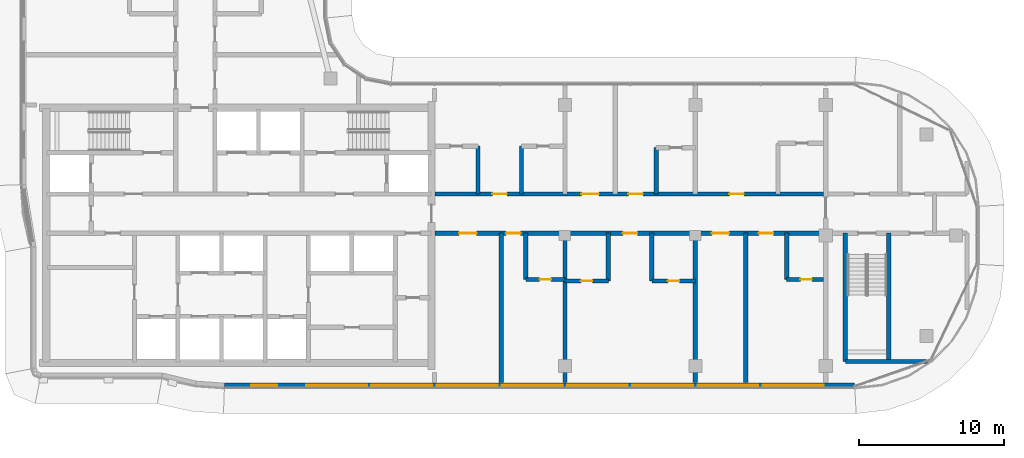
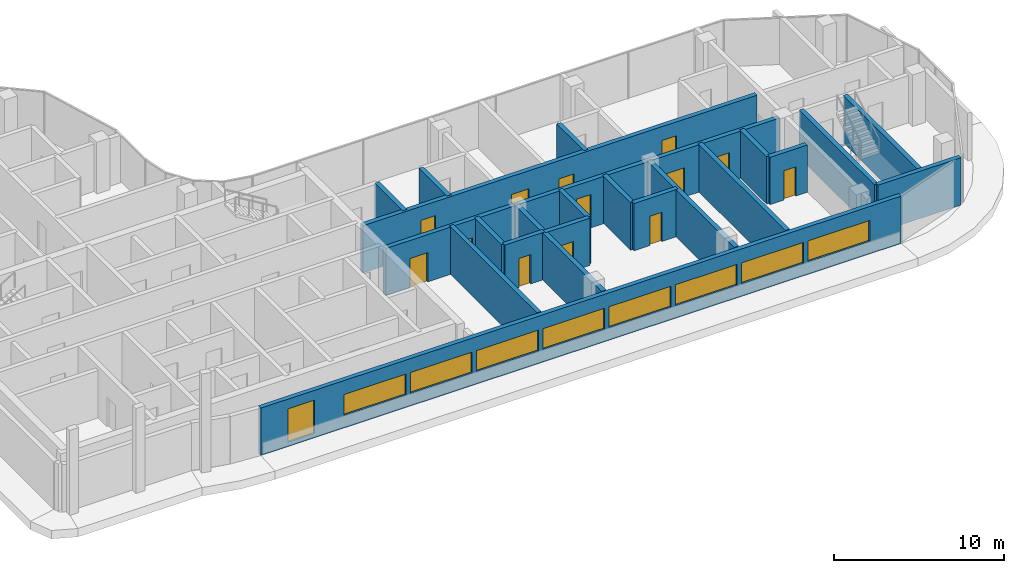
# One storey, part 11 of 21: 21 walls, 13 doors, 9 windows, 22 openings.
"""IFC4 building model written with IfcOpenShell, lengths in metres."""

from ifc_helpers import new_model, si_unit, direction, frame, frame_2d, origin, place, context, subcontext, project, spatial, rectangle, extrude, material, layer, layer_set, type_object, element, fill, save


model = new_model("IFC4")

# Units and contexts
model_context = context("Model", 3, precision=1e-05, world=origin(), true_north=direction((0.0, 1.0)))
body_context = subcontext(model_context, "Body", "Model", "MODEL_VIEW")
ifc_project = project(units=[si_unit("LENGTHUNIT", "METRE"), si_unit("AREAUNIT", "SQUARE_METRE"), si_unit("VOLUMEUNIT", "CUBIC_METRE"), si_unit("PLANEANGLEUNIT", "RADIAN"), si_unit("MASSUNIT", "GRAM", prefix="KILO")], contexts=[model_context])

# Site, building, storey
site_placement = place(None, origin())
site = spatial("IfcSite", under=ifc_project, at=site_placement, CompositionType="ELEMENT")
building_placement = place(site_placement, origin())
building = spatial("IfcBuilding", under=site, at=building_placement, Name="Ogive Portal Towers", CompositionType="ELEMENT")
storey_placement = place(building_placement, frame((0.0, 0.0, 225.39990234375)))
storey = spatial("IfcBuildingStorey", under=building, at=storey_placement, Name="L56", CompositionType="ELEMENT", Elevation=225.39990234375)

# Wall, openings, windows
ifc_material_1 = material(Name="Limestone cladding on lightweight block wall", Category="masonry")
ifc_layer_1 = layer(ifc_material_1, 0.300048828125)
ifc_layer_set_1 = layer_set([ifc_layer_1], Name="EXTERNAL WALL 300 STONE")
wall_type_1 = type_object("IfcWallType", Name="EXTERNAL WALL 300 STONE", PredefinedType="SOLIDWALL", material=ifc_layer_set_1)
wall_1_placement = place(storey_placement, frame((44.0107421875, 20.14990234375, 0.0), z_axis=(0.0, 0.0, 1.0), x_axis=(1.0, 0.0, 0.0)))
wall_1 = element("IfcWall", 1, at=wall_1_placement, inside=storey, type_object=wall_type_1, Name="A:L56:f06:r0:wall", PredefinedType="SOLIDWALL", context=body_context, shape_type="SweptSolid", body=[
    extrude(rectangle(XDim=43.4755859375, YDim=0.300048828125, at=frame_2d((21.73779296875, 0.0))), origin(), (0.0, 0.0, 1.0), 3.400146484375),
])
opening_1_placement = place(wall_1_placement, frame((1.8447265625, 0.0, 0.300048828125)))
opening_1 = element("IfcOpeningElement", 2, at=opening_1_placement, cuts=wall_1, Name="Opening WN10", PredefinedType="OPENING", context=body_context, shape_type="SweptSolid", body=[
    extrude(rectangle(XDim=1.800048828125, YDim=2.39990234375, at=frame_2d((0.89990234375, 1.199951171875))), frame((0.0, 0.16015625, 0.0), z_axis=(0.0, -1.0, 0.0), x_axis=(1.0, 0.0, 0.0)), (0.0, 0.0, 1.0), 0.320068359375),
])
opening_2_placement = place(wall_1_placement, frame((5.639404296875, 0.0, 0.89990234375)))
opening_2 = element("IfcOpeningElement", 3, at=opening_2_placement, cuts=wall_1, Name="Opening WN11", PredefinedType="OPENING", context=body_context, shape_type="SweptSolid", body=[
    extrude(rectangle(XDim=4.199951171875, YDim=1.5, at=frame_2d((2.10009765625, 0.75))), frame((0.0, 0.16015625, 0.0), z_axis=(0.0, -1.0, 0.0), x_axis=(1.0, 0.0, 0.0)), (0.0, 0.0, 1.0), 0.320068359375),
])
opening_3_placement = place(wall_1_placement, frame((10.139404296875, 0.0, 0.89990234375)))
opening_3 = element("IfcOpeningElement", 4, at=opening_3_placement, cuts=wall_1, Name="Opening WN11", PredefinedType="OPENING", context=body_context, shape_type="SweptSolid", body=[
    extrude(rectangle(XDim=4.199951171875, YDim=1.5, at=frame_2d((2.10009765625, 0.75))), frame((0.0, 0.16015625, 0.0), z_axis=(0.0, -1.0, 0.0), x_axis=(1.0, 0.0, 0.0)), (0.0, 0.0, 1.0), 0.320068359375),
])
opening_4_placement = place(wall_1_placement, frame((14.639404296875, 0.0, 0.89990234375)))
opening_4 = element("IfcOpeningElement", 5, at=opening_4_placement, cuts=wall_1, Name="Opening WN11", PredefinedType="OPENING", context=body_context, shape_type="SweptSolid", body=[
    extrude(rectangle(XDim=4.199951171875, YDim=1.5, at=frame_2d((2.10009765625, 0.75))), frame((0.0, 0.16015625, 0.0), z_axis=(0.0, -1.0, 0.0), x_axis=(1.0, 0.0, 0.0)), (0.0, 0.0, 1.0), 0.320068359375),
])
opening_5_placement = place(wall_1_placement, frame((19.139404296875, 0.0, 0.89990234375)))
opening_5 = element("IfcOpeningElement", 6, at=opening_5_placement, cuts=wall_1, Name="Opening WN11", PredefinedType="OPENING", context=body_context, shape_type="SweptSolid", body=[
    extrude(rectangle(XDim=4.199951171875, YDim=1.5, at=frame_2d((2.10009765625, 0.75))), frame((0.0, 0.16015625, 0.0), z_axis=(0.0, -1.0, 0.0), x_axis=(1.0, 0.0, 0.0)), (0.0, 0.0, 1.0), 0.320068359375),
])
opening_6_placement = place(wall_1_placement, frame((23.639404296875, 0.0, 0.89990234375)))
opening_6 = element("IfcOpeningElement", 7, at=opening_6_placement, cuts=wall_1, Name="Opening WN11", PredefinedType="OPENING", context=body_context, shape_type="SweptSolid", body=[
    extrude(rectangle(XDim=4.199951171875, YDim=1.5, at=frame_2d((2.10009765625, 0.75))), frame((0.0, 0.16015625, 0.0), z_axis=(0.0, -1.0, 0.0), x_axis=(1.0, 0.0, 0.0)), (0.0, 0.0, 1.0), 0.320068359375),
])
opening_7_placement = place(wall_1_placement, frame((28.139404296875, 0.0, 0.89990234375)))
opening_7 = element("IfcOpeningElement", 8, at=opening_7_placement, cuts=wall_1, Name="Opening WN11", PredefinedType="OPENING", context=body_context, shape_type="SweptSolid", body=[
    extrude(rectangle(XDim=4.199951171875, YDim=1.5, at=frame_2d((2.10009765625, 0.75))), frame((0.0, 0.16015625, 0.0), z_axis=(0.0, -1.0, 0.0), x_axis=(1.0, 0.0, 0.0)), (0.0, 0.0, 1.0), 0.320068359375),
])
opening_8_placement = place(wall_1_placement, frame((32.639404296875, 0.0, 0.89990234375)))
opening_8 = element("IfcOpeningElement", 9, at=opening_8_placement, cuts=wall_1, Name="Opening WN11", PredefinedType="OPENING", context=body_context, shape_type="SweptSolid", body=[
    extrude(rectangle(XDim=4.199951171875, YDim=1.5, at=frame_2d((2.10009765625, 0.75))), frame((0.0, 0.16015625, 0.0), z_axis=(0.0, -1.0, 0.0), x_axis=(1.0, 0.0, 0.0)), (0.0, 0.0, 1.0), 0.320068359375),
])
opening_9_placement = place(wall_1_placement, frame((37.139404296875, 0.0, 0.89990234375)))
opening_9 = element("IfcOpeningElement", 10, at=opening_9_placement, cuts=wall_1, Name="Opening WN11", PredefinedType="OPENING", context=body_context, shape_type="SweptSolid", body=[
    extrude(rectangle(XDim=4.199951171875, YDim=1.5, at=frame_2d((2.10009765625, 0.75))), frame((0.0, 0.16015625, 0.0), z_axis=(0.0, -1.0, 0.0), x_axis=(1.0, 0.0, 0.0)), (0.0, 0.0, 1.0), 0.320068359375),
])
ifc_material_2 = material(Name="Glass, clear low-iron insulated glazing", Category="glass")
window_type_1 = type_object("IfcWindowType", Name="WINDOW RIBBON 4200x1500", PartitioningType="TRIPLE_PANEL_VERTICAL", PredefinedType="WINDOW", material=ifc_material_2)
window_1_placement = place(opening_2_placement, origin())
window_1 = element("IfcWindow", 11, at=window_1_placement, inside=storey, type_object=window_type_1, Name="A:L56:f06:r0:w1", OverallHeight=1.5, OverallWidth=4.199951171875, PartitioningType="SINGLE_PANEL", PredefinedType="WINDOW", context=body_context, shape_type="SweptSolid", body=[
    extrude(rectangle(XDim=4.199951171875, YDim=1.5, at=frame_2d((2.10009765625, 0.75))), frame((0.0, 0.030029296875, 0.0), z_axis=(0.0, -1.0, 0.0), x_axis=(1.0, 0.0, 0.0)), (0.0, 0.0, 1.0), 0.06005859375),
])
fill(opening_2, window_1)
window_2_placement = place(opening_3_placement, origin())
window_2 = element("IfcWindow", 12, at=window_2_placement, inside=storey, type_object=window_type_1, Name="A:L56:f06:r0:w2", OverallHeight=1.5, OverallWidth=4.199951171875, PartitioningType="SINGLE_PANEL", PredefinedType="WINDOW", context=body_context, shape_type="SweptSolid", body=[
    extrude(rectangle(XDim=4.199951171875, YDim=1.5, at=frame_2d((2.10009765625, 0.75))), frame((0.0, 0.030029296875, 0.0), z_axis=(0.0, -1.0, 0.0), x_axis=(1.0, 0.0, 0.0)), (0.0, 0.0, 1.0), 0.06005859375),
])
fill(opening_3, window_2)
window_3_placement = place(opening_4_placement, origin())
window_3 = element("IfcWindow", 13, at=window_3_placement, inside=storey, type_object=window_type_1, Name="A:L56:f06:r0:w3", OverallHeight=1.5, OverallWidth=4.199951171875, PartitioningType="SINGLE_PANEL", PredefinedType="WINDOW", context=body_context, shape_type="SweptSolid", body=[
    extrude(rectangle(XDim=4.199951171875, YDim=1.5, at=frame_2d((2.10009765625, 0.75))), frame((0.0, 0.030029296875, 0.0), z_axis=(0.0, -1.0, 0.0), x_axis=(1.0, 0.0, 0.0)), (0.0, 0.0, 1.0), 0.06005859375),
])
fill(opening_4, window_3)
window_4_placement = place(opening_5_placement, origin())
window_4 = element("IfcWindow", 14, at=window_4_placement, inside=storey, type_object=window_type_1, Name="A:L56:f06:r0:w4", OverallHeight=1.5, OverallWidth=4.199951171875, PartitioningType="SINGLE_PANEL", PredefinedType="WINDOW", context=body_context, shape_type="SweptSolid", body=[
    extrude(rectangle(XDim=4.199951171875, YDim=1.5, at=frame_2d((2.10009765625, 0.75))), frame((0.0, 0.030029296875, 0.0), z_axis=(0.0, -1.0, 0.0), x_axis=(1.0, 0.0, 0.0)), (0.0, 0.0, 1.0), 0.06005859375),
])
fill(opening_5, window_4)
window_5_placement = place(opening_6_placement, origin())
window_5 = element("IfcWindow", 15, at=window_5_placement, inside=storey, type_object=window_type_1, Name="A:L56:f06:r0:w5", OverallHeight=1.5, OverallWidth=4.199951171875, PartitioningType="SINGLE_PANEL", PredefinedType="WINDOW", context=body_context, shape_type="SweptSolid", body=[
    extrude(rectangle(XDim=4.199951171875, YDim=1.5, at=frame_2d((2.10009765625, 0.75))), frame((0.0, 0.030029296875, 0.0), z_axis=(0.0, -1.0, 0.0), x_axis=(1.0, 0.0, 0.0)), (0.0, 0.0, 1.0), 0.06005859375),
])
fill(opening_6, window_5)
window_6_placement = place(opening_7_placement, origin())
window_6 = element("IfcWindow", 16, at=window_6_placement, inside=storey, type_object=window_type_1, Name="A:L56:f06:r0:w6", OverallHeight=1.5, OverallWidth=4.199951171875, PartitioningType="SINGLE_PANEL", PredefinedType="WINDOW", context=body_context, shape_type="SweptSolid", body=[
    extrude(rectangle(XDim=4.199951171875, YDim=1.5, at=frame_2d((2.10009765625, 0.75))), frame((0.0, 0.030029296875, 0.0), z_axis=(0.0, -1.0, 0.0), x_axis=(1.0, 0.0, 0.0)), (0.0, 0.0, 1.0), 0.06005859375),
])
fill(opening_7, window_6)
window_7_placement = place(opening_8_placement, origin())
window_7 = element("IfcWindow", 17, at=window_7_placement, inside=storey, type_object=window_type_1, Name="A:L56:f06:r0:w7", OverallHeight=1.5, OverallWidth=4.199951171875, PartitioningType="SINGLE_PANEL", PredefinedType="WINDOW", context=body_context, shape_type="SweptSolid", body=[
    extrude(rectangle(XDim=4.199951171875, YDim=1.5, at=frame_2d((2.10009765625, 0.75))), frame((0.0, 0.030029296875, 0.0), z_axis=(0.0, -1.0, 0.0), x_axis=(1.0, 0.0, 0.0)), (0.0, 0.0, 1.0), 0.06005859375),
])
fill(opening_8, window_7)
window_8_placement = place(opening_9_placement, origin())
window_8 = element("IfcWindow", 18, at=window_8_placement, inside=storey, type_object=window_type_1, Name="A:L56:f06:r0:w8", OverallHeight=1.5, OverallWidth=4.199951171875, PartitioningType="SINGLE_PANEL", PredefinedType="WINDOW", context=body_context, shape_type="SweptSolid", body=[
    extrude(rectangle(XDim=4.199951171875, YDim=1.5, at=frame_2d((2.10009765625, 0.75))), frame((0.0, 0.030029296875, 0.0), z_axis=(0.0, -1.0, 0.0), x_axis=(1.0, 0.0, 0.0)), (0.0, 0.0, 1.0), 0.06005859375),
])
fill(opening_9, window_8)
window_type_2 = type_object("IfcWindowType", Name="WINDOW SUITE CORNER 1800x2400", PartitioningType="DOUBLE_PANEL_VERTICAL", PredefinedType="WINDOW", material=ifc_material_2)
window_9_placement = place(opening_1_placement, origin())
window_9 = element("IfcWindow", 19, at=window_9_placement, inside=storey, type_object=window_type_2, Name="A:L56:f06:r0:w0", OverallHeight=2.39990234375, OverallWidth=1.800048828125, PartitioningType="SINGLE_PANEL", PredefinedType="WINDOW", context=body_context, shape_type="SweptSolid", body=[
    extrude(rectangle(XDim=1.800048828125, YDim=2.39990234375, at=frame_2d((0.89990234375, 1.199951171875))), frame((0.0, 0.030029296875, 0.0), z_axis=(0.0, -1.0, 0.0), x_axis=(1.0, 0.0, 0.0)), (0.0, 0.0, 1.0), 0.06005859375),
])
fill(opening_1, window_9)

# Walls
ifc_material_3 = material(Name="Concrete C50/60", Category="concrete")
ifc_layer_2 = layer(ifc_material_3, 0.300048828125)
ifc_layer_set_2 = layer_set([ifc_layer_2], Name="STAIR WALL 300 C50")
wall_type_2 = type_object("IfcWallType", Name="STAIR WALL 300 C50", PredefinedType="SHEAR", material=ifc_layer_set_2)
wall_2_placement = place(storey_placement, frame((86.85009765625, 21.800048828125, 0.0), z_axis=(0.0, 0.0, 1.0), x_axis=(1.0, 0.0, 0.0)))
element("IfcWall", 20, at=wall_2_placement, inside=storey, type_object=wall_type_2, Name="Stair wall ST-A4 L56", PredefinedType="SHEAR", context=body_context, shape_type="SweptSolid", body=[
    extrude(rectangle(XDim=5.664794921875, YDim=0.300048828125, at=frame_2d((2.83251953125, 0.0))), origin(), (0.0, 0.0, 1.0), 3.400146484375),
])
for number, where, z_axis, x_axis, name in (
    (21, (86.85009765625, 21.800048828125, 0.0), (0.0, 0.0, 1.0), (0.0, 1.0, 0.0), "Stair wall ST-A4 L56"),
    (22, (89.85009765625, 21.800048828125, 0.0), (0.0, 0.0, 1.0), (0.0, 1.0, 0.0), "Stair wall ST-A4 L56"),
):
    element("IfcWall", number, at=place(storey_placement, frame(where, z_axis=z_axis, x_axis=x_axis)), inside=storey, type_object=wall_type_2, Name=name, PredefinedType="SHEAR", context=body_context, shape_type="SweptSolid", body=[
        extrude(rectangle(XDim=8.849853515625, YDim=0.300048828125, at=frame_2d((4.4248046875, 0.0))), origin(), (0.0, 0.0, 1.0), 3.400146484375),
    ])

# Wall, openings, doors
ifc_material_4 = material(Name="Gypsum board partition on steel studs", Category="steel")
ifc_layer_3 = layer(ifc_material_4, 0.300048828125)
ifc_layer_set_3 = layer_set([ifc_layer_3], Name="WT-PART-300-EI 120")
wall_type_3 = type_object("IfcWallType", Name="WT-PART-300-EI 120", PredefinedType="PARTITIONING", material=ifc_layer_set_3)
wall_3_placement = place(storey_placement, frame((58.550048828125, 30.64990234375, 0.0), z_axis=(0.0, 0.0, 1.0), x_axis=(1.0, 0.0, 0.0)))
wall_3 = element("IfcWall", 23, at=wall_3_placement, inside=storey, type_object=wall_type_3, Name="Wall L56:w006", PredefinedType="PARTITIONING", context=body_context, shape_type="SweptSolid", body=[
    extrude(rectangle(XDim=26.780029296875, YDim=0.300048828125, at=frame_2d((13.39013671875, 0.0))), origin(), (0.0, 0.0, 1.0), 3.400146484375),
])
opening_10_placement = place(wall_3_placement, frame((1.64990234375, 0.0, 0.0)))
opening_10 = element("IfcOpeningElement", 24, at=opening_10_placement, cuts=wall_3, Name="Opening D25-029", PredefinedType="OPENING", context=body_context, shape_type="SweptSolid", body=[
    extrude(rectangle(XDim=1.199951171875, YDim=2.10009765625, at=frame_2d((0.60009765625, 1.050048828125))), frame((0.0, 0.16015625, 0.0), z_axis=(0.0, -1.0, 0.0), x_axis=(1.0, 0.0, 0.0)), (0.0, 0.0, 1.0), 0.320068359375),
])
opening_11_placement = place(wall_3_placement, frame((4.89990234375, 0.0, 0.0)))
opening_11 = element("IfcOpeningElement", 25, at=opening_11_placement, cuts=wall_3, Name="Opening D25-031", PredefinedType="OPENING", context=body_context, shape_type="SweptSolid", body=[
    extrude(rectangle(XDim=1.0, YDim=2.10009765625, at=frame_2d((0.5, 1.050048828125))), frame((0.0, 0.16015625, 0.0), z_axis=(0.0, -1.0, 0.0), x_axis=(1.0, 0.0, 0.0)), (0.0, 0.0, 1.0), 0.320068359375),
])
opening_12_placement = place(wall_3_placement, frame((12.949951171875, 0.0, 0.0)))
opening_12 = element("IfcOpeningElement", 26, at=opening_12_placement, cuts=wall_3, Name="Opening D25-037", PredefinedType="OPENING", context=body_context, shape_type="SweptSolid", body=[
    extrude(rectangle(XDim=1.0, YDim=2.39990234375, at=frame_2d((0.5, 1.199951171875))), frame((0.0, 0.16015625, 0.0), z_axis=(0.0, -1.0, 0.0), x_axis=(1.0, 0.0, 0.0)), (0.0, 0.0, 1.0), 0.320068359375),
])
opening_13_placement = place(wall_3_placement, frame((19.0849609375, 0.0, 0.0)))
opening_13 = element("IfcOpeningElement", 27, at=opening_13_placement, cuts=wall_3, Name="Opening D25-040", PredefinedType="OPENING", context=body_context, shape_type="SweptSolid", body=[
    extrude(rectangle(XDim=1.199951171875, YDim=2.10009765625, at=frame_2d((0.60009765625, 1.050048828125))), frame((0.0, 0.16015625, 0.0), z_axis=(0.0, -1.0, 0.0), x_axis=(1.0, 0.0, 0.0)), (0.0, 0.0, 1.0), 0.320068359375),
])
opening_14_placement = place(wall_3_placement, frame((22.3349609375, 0.0, 0.0)))
opening_14 = element("IfcOpeningElement", 28, at=opening_14_placement, cuts=wall_3, Name="Opening D25-042", PredefinedType="OPENING", context=body_context, shape_type="SweptSolid", body=[
    extrude(rectangle(XDim=1.0, YDim=2.10009765625, at=frame_2d((0.5, 1.050048828125))), frame((0.0, 0.16015625, 0.0), z_axis=(0.0, -1.0, 0.0), x_axis=(1.0, 0.0, 0.0)), (0.0, 0.0, 1.0), 0.320068359375),
])
ifc_material_5 = material(Name="Steel fire door", Category="steel")
door_type_1 = type_object("IfcDoorType", Name="DT-ENTRY-1000x2100-FD90S", OperationType="SINGLE_SWING_LEFT", PredefinedType="DOOR", material=ifc_material_5)
door_1_placement = place(opening_11_placement, origin())
door_1 = element("IfcDoor", 29, at=door_1_placement, inside=storey, type_object=door_type_1, Name="Door D25-031", OperationType="SINGLE_SWING_LEFT", OverallHeight=2.10009765625, OverallWidth=1.0, PredefinedType="DOOR", context=body_context, shape_type="SweptSolid", body=[
    extrude(rectangle(XDim=1.0, YDim=2.10009765625, at=frame_2d((0.5, 1.050048828125))), frame((0.0, 0.02490234375, 0.0), z_axis=(0.0, -1.0, 0.0), x_axis=(1.0, 0.0, 0.0)), (0.0, 0.0, 1.0), 0.050048828125),
])
fill(opening_11, door_1)
door_2_placement = place(opening_14_placement, origin())
door_2 = element("IfcDoor", 30, at=door_2_placement, inside=storey, type_object=door_type_1, Name="Door D25-042", OperationType="SINGLE_SWING_LEFT", OverallHeight=2.10009765625, OverallWidth=1.0, PredefinedType="DOOR", context=body_context, shape_type="SweptSolid", body=[
    extrude(rectangle(XDim=1.0, YDim=2.10009765625, at=frame_2d((0.5, 1.050048828125))), frame((0.0, 0.02490234375, 0.0), z_axis=(0.0, -1.0, 0.0), x_axis=(1.0, 0.0, 0.0)), (0.0, 0.0, 1.0), 0.050048828125),
])
fill(opening_14, door_2)
door_type_2 = type_object("IfcDoorType", Name="DT-ENTRY-1000x2400-FD90S", OperationType="SINGLE_SWING_LEFT", PredefinedType="DOOR", material=ifc_material_5)
door_3_placement = place(opening_12_placement, origin())
door_3 = element("IfcDoor", 31, at=door_3_placement, inside=storey, type_object=door_type_2, Name="Door D25-037", OperationType="SINGLE_SWING_LEFT", OverallHeight=2.39990234375, OverallWidth=1.0, PredefinedType="DOOR", context=body_context, shape_type="SweptSolid", body=[
    extrude(rectangle(XDim=1.0, YDim=2.39990234375, at=frame_2d((0.5, 1.199951171875))), frame((0.0, 0.02490234375, 0.0), z_axis=(0.0, -1.0, 0.0), x_axis=(1.0, 0.0, 0.0)), (0.0, 0.0, 1.0), 0.050048828125),
])
fill(opening_12, door_3)
door_type_3 = type_object("IfcDoorType", Name="DT-ENTRY-1200x2100-FD90S", OperationType="SINGLE_SWING_LEFT", PredefinedType="DOOR", material=ifc_material_5)
door_4_placement = place(opening_10_placement, origin())
door_4 = element("IfcDoor", 32, at=door_4_placement, inside=storey, type_object=door_type_3, Name="Door D25-029", OperationType="SINGLE_SWING_LEFT", OverallHeight=2.10009765625, OverallWidth=1.199951171875, PredefinedType="DOOR", context=body_context, shape_type="SweptSolid", body=[
    extrude(rectangle(XDim=1.199951171875, YDim=2.10009765625, at=frame_2d((0.60009765625, 1.050048828125))), frame((0.0, 0.02490234375, 0.0), z_axis=(0.0, -1.0, 0.0), x_axis=(1.0, 0.0, 0.0)), (0.0, 0.0, 1.0), 0.050048828125),
])
fill(opening_10, door_4)
door_5_placement = place(opening_13_placement, origin())
door_5 = element("IfcDoor", 33, at=door_5_placement, inside=storey, type_object=door_type_3, Name="Door D25-040", OperationType="SINGLE_SWING_RIGHT", OverallHeight=2.10009765625, OverallWidth=1.199951171875, PredefinedType="DOOR", context=body_context, shape_type="SweptSolid", body=[
    extrude(rectangle(XDim=1.199951171875, YDim=2.10009765625, at=frame_2d((0.60009765625, 1.050048828125))), frame((0.0, 0.02490234375, 0.0), z_axis=(0.0, -1.0, 0.0), x_axis=(1.0, 0.0, 0.0)), (0.0, 0.0, 1.0), 0.050048828125),
])
fill(opening_13, door_5)

wall_4_placement = place(storey_placement, frame((58.550048828125, 33.35009765625, 0.0), z_axis=(0.0, 0.0, 1.0), x_axis=(1.0, 0.0, 0.0)))
wall_4 = element("IfcWall", 34, at=wall_4_placement, inside=storey, type_object=wall_type_3, Name="Wall L56:w008", PredefinedType="PARTITIONING", context=body_context, shape_type="SweptSolid", body=[
    extrude(rectangle(XDim=26.780029296875, YDim=0.300048828125, at=frame_2d((13.39013671875, 0.0))), origin(), (0.0, 0.0, 1.0), 3.400146484375),
])
opening_15_placement = place(wall_4_placement, frame((3.949951171875, 0.0, 0.0)))
opening_15 = element("IfcOpeningElement", 35, at=opening_15_placement, cuts=wall_4, Name="Opening D25-028", PredefinedType="OPENING", context=body_context, shape_type="SweptSolid", body=[
    extrude(rectangle(XDim=1.0, YDim=2.39990234375, at=frame_2d((0.5, 1.199951171875))), frame((0.0, 0.16015625, 0.0), z_axis=(0.0, -1.0, 0.0), x_axis=(1.0, 0.0, 0.0)), (0.0, 0.0, 1.0), 0.320068359375),
])
opening_16_placement = place(wall_4_placement, frame((10.0849609375, 0.0, 0.0)))
opening_16 = element("IfcOpeningElement", 36, at=opening_16_placement, cuts=wall_4, Name="Opening D25-032", PredefinedType="OPENING", context=body_context, shape_type="SweptSolid", body=[
    extrude(rectangle(XDim=1.199951171875, YDim=2.10009765625, at=frame_2d((0.60009765625, 1.050048828125))), frame((0.0, 0.16015625, 0.0), z_axis=(0.0, -1.0, 0.0), x_axis=(1.0, 0.0, 0.0)), (0.0, 0.0, 1.0), 0.320068359375),
])
opening_17_placement = place(wall_4_placement, frame((13.3349609375, 0.0, 0.0)))
opening_17 = element("IfcOpeningElement", 37, at=opening_17_placement, cuts=wall_4, Name="Opening D25-034", PredefinedType="OPENING", context=body_context, shape_type="SweptSolid", body=[
    extrude(rectangle(XDim=1.0, YDim=2.10009765625, at=frame_2d((0.5, 1.050048828125))), frame((0.0, 0.16015625, 0.0), z_axis=(0.0, -1.0, 0.0), x_axis=(1.0, 0.0, 0.0)), (0.0, 0.0, 1.0), 0.320068359375),
])
opening_18_placement = place(wall_4_placement, frame((20.300048828125, 0.0, 0.0)))
opening_18 = element("IfcOpeningElement", 38, at=opening_18_placement, cuts=wall_4, Name="Opening D25-039", PredefinedType="OPENING", context=body_context, shape_type="SweptSolid", body=[
    extrude(rectangle(XDim=1.0, YDim=2.39990234375, at=frame_2d((0.5, 1.199951171875))), frame((0.0, 0.16015625, 0.0), z_axis=(0.0, -1.0, 0.0), x_axis=(1.0, 0.0, 0.0)), (0.0, 0.0, 1.0), 0.320068359375),
])
door_6_placement = place(opening_17_placement, origin())
door_6 = element("IfcDoor", 39, at=door_6_placement, inside=storey, type_object=door_type_1, Name="Door D25-034", OperationType="SINGLE_SWING_LEFT", OverallHeight=2.10009765625, OverallWidth=1.0, PredefinedType="DOOR", context=body_context, shape_type="SweptSolid", body=[
    extrude(rectangle(XDim=1.0, YDim=2.10009765625, at=frame_2d((0.5, 1.050048828125))), frame((0.0, 0.02490234375, 0.0), z_axis=(0.0, -1.0, 0.0), x_axis=(1.0, 0.0, 0.0)), (0.0, 0.0, 1.0), 0.050048828125),
])
fill(opening_17, door_6)
door_7_placement = place(opening_15_placement, origin())
door_7 = element("IfcDoor", 40, at=door_7_placement, inside=storey, type_object=door_type_2, Name="Door D25-028", OperationType="SINGLE_SWING_LEFT", OverallHeight=2.39990234375, OverallWidth=1.0, PredefinedType="DOOR", context=body_context, shape_type="SweptSolid", body=[
    extrude(rectangle(XDim=1.0, YDim=2.39990234375, at=frame_2d((0.5, 1.199951171875))), frame((0.0, 0.02490234375, 0.0), z_axis=(0.0, -1.0, 0.0), x_axis=(1.0, 0.0, 0.0)), (0.0, 0.0, 1.0), 0.050048828125),
])
fill(opening_15, door_7)
door_8_placement = place(opening_18_placement, origin())
door_8 = element("IfcDoor", 41, at=door_8_placement, inside=storey, type_object=door_type_2, Name="Door D25-039", OperationType="SINGLE_SWING_LEFT", OverallHeight=2.39990234375, OverallWidth=1.0, PredefinedType="DOOR", context=body_context, shape_type="SweptSolid", body=[
    extrude(rectangle(XDim=1.0, YDim=2.39990234375, at=frame_2d((0.5, 1.199951171875))), frame((0.0, 0.02490234375, 0.0), z_axis=(0.0, -1.0, 0.0), x_axis=(1.0, 0.0, 0.0)), (0.0, 0.0, 1.0), 0.050048828125),
])
fill(opening_18, door_8)
door_9_placement = place(opening_16_placement, origin())
door_9 = element("IfcDoor", 42, at=door_9_placement, inside=storey, type_object=door_type_3, Name="Door D25-032", OperationType="SINGLE_SWING_LEFT", OverallHeight=2.10009765625, OverallWidth=1.199951171875, PredefinedType="DOOR", context=body_context, shape_type="SweptSolid", body=[
    extrude(rectangle(XDim=1.199951171875, YDim=2.10009765625, at=frame_2d((0.60009765625, 1.050048828125))), frame((0.0, 0.02490234375, 0.0), z_axis=(0.0, -1.0, 0.0), x_axis=(1.0, 0.0, 0.0)), (0.0, 0.0, 1.0), 0.050048828125),
])
fill(opening_16, door_9)

# Wall, opening, door
ifc_layer_4 = layer(ifc_material_4, 0.300048828125)
ifc_layer_set_4 = layer_set([ifc_layer_4], Name="WT-PART-300-EI 60")
wall_type_4 = type_object("IfcWallType", Name="WT-PART-300-EI 60", PredefinedType="PARTITIONING", material=ifc_layer_set_4)
wall_5_placement = place(storey_placement, frame((67.5, 27.35009765625, 0.0), z_axis=(0.0, 0.0, 1.0), x_axis=(1.0, 0.0, 0.0)))
wall_5 = element("IfcWall", 43, at=wall_5_placement, inside=storey, type_object=wall_type_4, Name="Wall L56:w002", PredefinedType="PARTITIONING", context=body_context, shape_type="SweptSolid", body=[
    extrude(rectangle(XDim=3.0, YDim=0.300048828125, at=frame_2d((1.5, 0.0))), origin(), (0.0, 0.0, 1.0), 3.400146484375),
])
opening_19_placement = place(wall_5_placement, frame((1.10009765625, 0.0, 0.0)))
opening_19 = element("IfcOpeningElement", 44, at=opening_19_placement, cuts=wall_5, Name="Opening D25-035", PredefinedType="OPENING", context=body_context, shape_type="SweptSolid", body=[
    extrude(rectangle(XDim=0.800048828125, YDim=2.10009765625, at=frame_2d((0.39990234375, 1.050048828125))), frame((0.0, 0.16015625, 0.0), z_axis=(0.0, -1.0, 0.0), x_axis=(1.0, 0.0, 0.0)), (0.0, 0.0, 1.0), 0.320068359375),
])
door_type_4 = type_object("IfcDoorType", Name="DT-BATH-800x2100-FD60S", OperationType="SINGLE_SWING_LEFT", PredefinedType="DOOR", material=ifc_material_5)
door_10_placement = place(opening_19_placement, origin())
door_10 = element("IfcDoor", 45, at=door_10_placement, inside=storey, type_object=door_type_4, Name="Door D25-035", OperationType="SINGLE_SWING_LEFT", OverallHeight=2.10009765625, OverallWidth=0.800048828125, PredefinedType="DOOR", context=body_context, shape_type="SweptSolid", body=[
    extrude(rectangle(XDim=0.800048828125, YDim=2.10009765625, at=frame_2d((0.39990234375, 1.050048828125))), frame((0.0, 0.02490234375, 0.0), z_axis=(0.0, -1.0, 0.0), x_axis=(1.0, 0.0, 0.0)), (0.0, 0.0, 1.0), 0.050048828125),
])
fill(opening_19, door_10)

wall_6_placement = place(storey_placement, frame((73.5, 27.35009765625, 0.0), z_axis=(0.0, 0.0, 1.0), x_axis=(1.0, 0.0, 0.0)))
wall_6 = element("IfcWall", 46, at=wall_6_placement, inside=storey, type_object=wall_type_4, Name="Wall L56:w003", PredefinedType="PARTITIONING", context=body_context, shape_type="SweptSolid", body=[
    extrude(rectangle(XDim=3.0, YDim=0.300048828125, at=frame_2d((1.5, 0.0))), origin(), (0.0, 0.0, 1.0), 3.400146484375),
])
opening_20_placement = place(wall_6_placement, frame((1.10009765625, 0.0, 0.0)))
opening_20 = element("IfcOpeningElement", 47, at=opening_20_placement, cuts=wall_6, Name="Opening D25-036", PredefinedType="OPENING", context=body_context, shape_type="SweptSolid", body=[
    extrude(rectangle(XDim=0.800048828125, YDim=2.10009765625, at=frame_2d((0.39990234375, 1.050048828125))), frame((0.0, 0.16015625, 0.0), z_axis=(0.0, -1.0, 0.0), x_axis=(1.0, 0.0, 0.0)), (0.0, 0.0, 1.0), 0.320068359375),
])
door_11_placement = place(opening_20_placement, origin())
door_11 = element("IfcDoor", 48, at=door_11_placement, inside=storey, type_object=door_type_4, Name="Door D25-036", OperationType="SINGLE_SWING_RIGHT", OverallHeight=2.10009765625, OverallWidth=0.800048828125, PredefinedType="DOOR", context=body_context, shape_type="SweptSolid", body=[
    extrude(rectangle(XDim=0.800048828125, YDim=2.10009765625, at=frame_2d((0.39990234375, 1.050048828125))), frame((0.0, 0.02490234375, 0.0), z_axis=(0.0, -1.0, 0.0), x_axis=(1.0, 0.0, 0.0)), (0.0, 0.0, 1.0), 0.050048828125),
])
fill(opening_20, door_11)

wall_7_placement = place(storey_placement, frame((64.800048828125, 27.449951171875, 0.0), z_axis=(0.0, 0.0, 1.0), x_axis=(1.0, 0.0, 0.0)))
wall_7 = element("IfcWall", 49, at=wall_7_placement, inside=storey, type_object=wall_type_4, Name="Wall L56:w004", PredefinedType="PARTITIONING", context=body_context, shape_type="SweptSolid", body=[
    extrude(rectangle(XDim=2.699951171875, YDim=0.300048828125, at=frame_2d((1.35009765625, 0.0))), origin(), (0.0, 0.0, 1.0), 3.400146484375),
])
opening_21_placement = place(wall_7_placement, frame((0.949951171875, 0.0, 0.0)))
opening_21 = element("IfcOpeningElement", 50, at=opening_21_placement, cuts=wall_7, Name="Opening D25-030", PredefinedType="OPENING", context=body_context, shape_type="SweptSolid", body=[
    extrude(rectangle(XDim=0.800048828125, YDim=2.10009765625, at=frame_2d((0.39990234375, 1.050048828125))), frame((0.0, 0.16015625, 0.0), z_axis=(0.0, -1.0, 0.0), x_axis=(1.0, 0.0, 0.0)), (0.0, 0.0, 1.0), 0.320068359375),
])
door_12_placement = place(opening_21_placement, origin())
door_12 = element("IfcDoor", 51, at=door_12_placement, inside=storey, type_object=door_type_4, Name="Door D25-030", OperationType="SINGLE_SWING_RIGHT", OverallHeight=2.10009765625, OverallWidth=0.800048828125, PredefinedType="DOOR", context=body_context, shape_type="SweptSolid", body=[
    extrude(rectangle(XDim=0.800048828125, YDim=2.10009765625, at=frame_2d((0.39990234375, 1.050048828125))), frame((0.0, 0.02490234375, 0.0), z_axis=(0.0, -1.0, 0.0), x_axis=(1.0, 0.0, 0.0)), (0.0, 0.0, 1.0), 0.050048828125),
])
fill(opening_21, door_12)

wall_8_placement = place(storey_placement, frame((82.800048828125, 27.449951171875, 0.0), z_axis=(0.0, 0.0, 1.0), x_axis=(1.0, 0.0, 0.0)))
wall_8 = element("IfcWall", 52, at=wall_8_placement, inside=storey, type_object=wall_type_4, Name="Wall L56:w005", PredefinedType="PARTITIONING", context=body_context, shape_type="SweptSolid", body=[
    extrude(rectangle(XDim=2.530029296875, YDim=0.300048828125, at=frame_2d((1.26513671875, 0.0))), origin(), (0.0, 0.0, 1.0), 3.400146484375),
])
opening_22_placement = place(wall_8_placement, frame((0.949951171875, 0.0, 0.0)))
opening_22 = element("IfcOpeningElement", 53, at=opening_22_placement, cuts=wall_8, Name="Opening D25-041", PredefinedType="OPENING", context=body_context, shape_type="SweptSolid", body=[
    extrude(rectangle(XDim=0.800048828125, YDim=2.10009765625, at=frame_2d((0.39990234375, 1.050048828125))), frame((0.0, 0.16015625, 0.0), z_axis=(0.0, -1.0, 0.0), x_axis=(1.0, 0.0, 0.0)), (0.0, 0.0, 1.0), 0.320068359375),
])
door_13_placement = place(opening_22_placement, origin())
door_13 = element("IfcDoor", 54, at=door_13_placement, inside=storey, type_object=door_type_4, Name="Door D25-041", OperationType="SINGLE_SWING_LEFT", OverallHeight=2.10009765625, OverallWidth=0.800048828125, PredefinedType="DOOR", context=body_context, shape_type="SweptSolid", body=[
    extrude(rectangle(XDim=0.800048828125, YDim=2.10009765625, at=frame_2d((0.39990234375, 1.050048828125))), frame((0.0, 0.02490234375, 0.0), z_axis=(0.0, -1.0, 0.0), x_axis=(1.0, 0.0, 0.0)), (0.0, 0.0, 1.0), 0.050048828125),
])
fill(opening_22, door_13)

# Walls
wall_9_placement = place(storey_placement, frame((61.5, 33.35009765625, 0.0), z_axis=(0.0, 0.0, 1.0), x_axis=(0.0, 1.0, 0.0)))
element("IfcWall", 55, at=wall_9_placement, inside=storey, type_object=wall_type_4, Name="Wall L56:w037", PredefinedType="PARTITIONING", context=body_context, shape_type="SweptSolid", body=[
    extrude(rectangle(XDim=3.2998046875, YDim=0.300048828125, at=frame_2d((1.64990234375, 0.0))), origin(), (0.0, 0.0, 1.0), 3.400146484375),
])
wall_10_placement = place(storey_placement, frame((63.10009765625, 20.35009765625, 0.0), z_axis=(0.0, 0.0, 1.0), x_axis=(0.0, 1.0, 0.0)))
element("IfcWall", 56, at=wall_10_placement, inside=storey, type_object=wall_type_4, Name="Wall L56:w038", PredefinedType="PARTITIONING", context=body_context, shape_type="SweptSolid", body=[
    extrude(rectangle(XDim=10.2998046875, YDim=0.300048828125, at=frame_2d((5.14990234375, 0.0))), origin(), (0.0, 0.0, 1.0), 3.400146484375),
])
wall_11_placement = place(storey_placement, frame((64.5, 33.35009765625, 0.0), z_axis=(0.0, 0.0, 1.0), x_axis=(0.0, 1.0, 0.0)))
element("IfcWall", 57, at=wall_11_placement, inside=storey, type_object=wall_type_4, Name="Wall L56:w039", PredefinedType="PARTITIONING", context=body_context, shape_type="SweptSolid", body=[
    extrude(rectangle(XDim=3.2998046875, YDim=0.300048828125, at=frame_2d((1.64990234375, 0.0))), origin(), (0.0, 0.0, 1.0), 3.400146484375),
])
wall_12_placement = place(storey_placement, frame((64.800048828125, 27.449951171875, 0.0), z_axis=(0.0, 0.0, 1.0), x_axis=(0.0, 1.0, 0.0)))
element("IfcWall", 58, at=wall_12_placement, inside=storey, type_object=wall_type_4, Name="Wall L56:w040", PredefinedType="PARTITIONING", context=body_context, shape_type="SweptSolid", body=[
    extrude(rectangle(XDim=3.199951171875, YDim=0.300048828125, at=frame_2d((1.60009765625, 0.0))), origin(), (0.0, 0.0, 1.0), 3.400146484375),
])
wall_13_placement = place(storey_placement, frame((67.5, 20.35009765625, 0.0), z_axis=(0.0, 0.0, 1.0), x_axis=(0.0, 1.0, 0.0)))
element("IfcWall", 59, at=wall_13_placement, inside=storey, type_object=wall_type_4, Name="Wall L56:w041", PredefinedType="PARTITIONING", context=body_context, shape_type="SweptSolid", body=[
    extrude(rectangle(XDim=10.2998046875, YDim=0.300048828125, at=frame_2d((5.14990234375, 0.0))), origin(), (0.0, 0.0, 1.0), 3.400146484375),
])
for number, where, z_axis, x_axis, name in (
    (60, (70.5, 27.35009765625, 0.0), (0.0, 0.0, 1.0), (0.0, 1.0, 0.0), "Wall L56:w043"),
    (61, (73.5, 27.35009765625, 0.0), (0.0, 0.0, 1.0), (0.0, 1.0, 0.0), "Wall L56:w045"),
):
    element("IfcWall", number, at=place(storey_placement, frame(where, z_axis=z_axis, x_axis=x_axis)), inside=storey, type_object=wall_type_4, Name=name, PredefinedType="PARTITIONING", context=body_context, shape_type="SweptSolid", body=[
        extrude(rectangle(XDim=3.2998046875, YDim=0.300048828125, at=frame_2d((1.64990234375, 0.0))), origin(), (0.0, 0.0, 1.0), 3.400146484375),
    ])
wall_14_placement = place(storey_placement, frame((73.800048828125, 33.35009765625, 0.0), z_axis=(0.0, 0.0, 1.0), x_axis=(0.0, 1.0, 0.0)))
element("IfcWall", 62, at=wall_14_placement, inside=storey, type_object=wall_type_4, Name="Wall L56:w046", PredefinedType="PARTITIONING", context=body_context, shape_type="SweptSolid", body=[
    extrude(rectangle(XDim=3.199951171875, YDim=0.300048828125, at=frame_2d((1.60009765625, 0.0))), origin(), (0.0, 0.0, 1.0), 3.400146484375),
])
for number, where, z_axis, x_axis, name in (
    (63, (76.5, 20.35009765625, 0.0), (0.0, 0.0, 1.0), (0.0, 1.0, 0.0), "Wall L56:w047"),
    (64, (79.969970703125, 20.35009765625, 0.0), (0.0, 0.0, 1.0), (0.0, 1.0, 0.0), "Wall L56:w049"),
):
    element("IfcWall", number, at=place(storey_placement, frame(where, z_axis=z_axis, x_axis=x_axis)), inside=storey, type_object=wall_type_4, Name=name, PredefinedType="PARTITIONING", context=body_context, shape_type="SweptSolid", body=[
        extrude(rectangle(XDim=10.2998046875, YDim=0.300048828125, at=frame_2d((5.14990234375, 0.0))), origin(), (0.0, 0.0, 1.0), 3.400146484375),
    ])
wall_15_placement = place(storey_placement, frame((82.800048828125, 27.449951171875, 0.0), z_axis=(0.0, 0.0, 1.0), x_axis=(0.0, 1.0, 0.0)))
element("IfcWall", 65, at=wall_15_placement, inside=storey, type_object=wall_type_4, Name="Wall L56:w051", PredefinedType="PARTITIONING", context=body_context, shape_type="SweptSolid", body=[
    extrude(rectangle(XDim=3.199951171875, YDim=0.300048828125, at=frame_2d((1.60009765625, 0.0))), origin(), (0.0, 0.0, 1.0), 3.400146484375),
])

save(model, "model.ifc")
